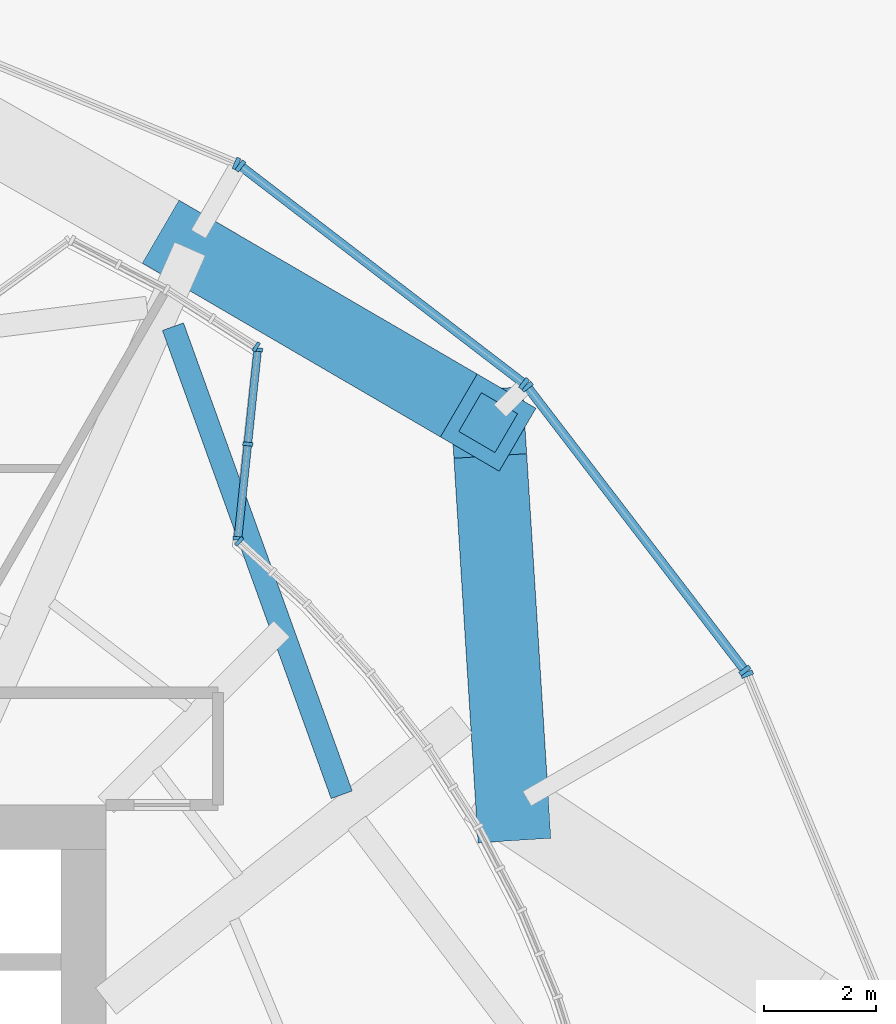
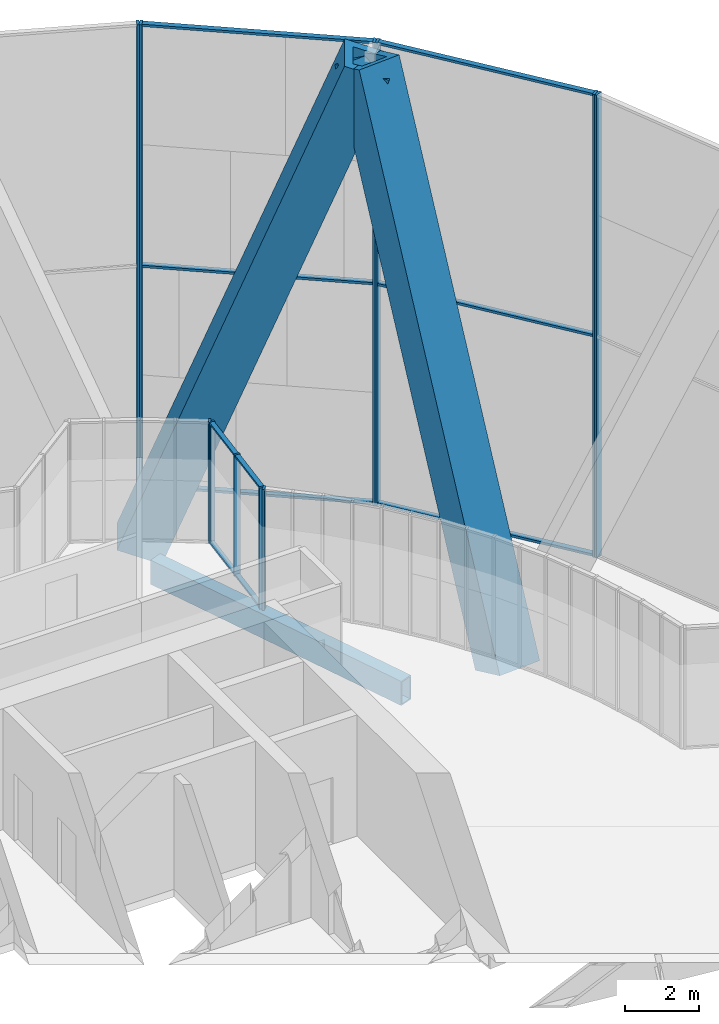
# One storey, part 10 of 27: 23 members, 1 beam, 7 elements without a shape of their own.
"""IFC4 building model written with IfcOpenShell, lengths in metres."""

from ifc_helpers import new_model, si_unit, direction, frame, origin, origin_2d, place, context, subcontext, project, spatial, rectangle, hollow_rectangle, extrude, material, material_profile, profile_set, type_object, element, aggregate, save


model = new_model("IFC4")

# Units and contexts
model_context = context("Model", 3, precision=1e-05, world=origin(), true_north=direction((0.0, 1.0)))
body_context = subcontext(model_context, "Body", "Model", "MODEL_VIEW")
ifc_project = project(units=[si_unit("LENGTHUNIT", "METRE"), si_unit("AREAUNIT", "SQUARE_METRE"), si_unit("VOLUMEUNIT", "CUBIC_METRE"), si_unit("PLANEANGLEUNIT", "RADIAN"), si_unit("MASSUNIT", "GRAM", prefix="KILO")], contexts=[model_context])

# Site, building, storey
site_placement = place(None, origin())
site = spatial("IfcSite", under=ifc_project, at=site_placement, CompositionType="ELEMENT")
building_placement = place(site_placement, origin())
building = spatial("IfcBuilding", under=site, at=building_placement, Name="Golbaran Civic Tower", CompositionType="ELEMENT")
storey_placement = place(building_placement, frame((0.0, 0.0, 21.0)))
storey = spatial("IfcBuildingStorey", under=building, at=storey_placement, Name="L04", CompositionType="ELEMENT", Elevation=21.0)

# Members
ifc_material_1 = material(Name="Steel S355", Category="steel")
ifc_material_profile_1 = material_profile(ifc_material_1, hollow_rectangle(XDim=1.300048828125, YDim=1.300048828125, WallThickness=0.25, at=origin_2d()), Name="BOX 1300x1300x250")
ifc_profile_set_1 = profile_set([ifc_material_profile_1], Name="Steel S355")
member_type_1 = type_object("IfcMemberType", Name="DIAGRID DIAGONAL BOX 1300x1300x250", PredefinedType="BRACE", material=ifc_profile_set_1)
member_1_placement = place(storey_placement, frame((17.25, 9.959228515625, -0.7099609375), z_axis=(-0.024773388533, 0.393906691689, 0.918816520021), x_axis=(-0.998028176188, -0.06276750382, 0.0)))
element("IfcMember", 1, at=member_1_placement, inside=storey, type_object=member_type_1, Name="Diagonal D00-01R L04-L08", PredefinedType="BRACE", context=body_context, shape_type="SweptSolid", body=[
    extrude(hollow_rectangle(XDim=1.300048828125, YDim=1.300048828125, WallThickness=0.25, at=origin_2d()), origin(), (0.0, 0.0, 1.0), 17.413818359375),
])
member_2_placement = place(storey_placement, frame((11.5, 19.918701171875, -0.7099609375), z_axis=(0.310240999573, -0.180832692797, 0.933300626486), x_axis=(0.503577568182, 0.86395001755, 0.0)))
element("IfcMember", 2, at=member_2_placement, inside=storey, type_object=member_type_1, Name="Diagonal D00-02L L04-L08", PredefinedType="BRACE", context=body_context, shape_type="SweptSolid", body=[
    extrude(hollow_rectangle(XDim=1.300048828125, YDim=1.300048828125, WallThickness=0.25, at=origin_2d()), origin(), (0.0, 0.0, 1.0), 17.1435546875),
])

# Beam
ifc_material_profile_2 = material_profile(ifc_material_1, hollow_rectangle(XDim=0.39990234375, YDim=0.800048828125, WallThickness=0.0400390625, at=origin_2d()), Name="BOX 800x400x40")
ifc_profile_set_2 = profile_set([ifc_material_profile_2], Name="Steel S355")
beam_type = type_object("IfcBeamType", Name="EDGE BEAM BOX 800x400x40", PredefinedType="BEAM", material=ifc_profile_set_2)
beam_placement = place(storey_placement, frame((14.205078125, 10.18017578125, -0.60009765625), z_axis=(-0.339060370544, 0.94076461728, 0.0), x_axis=(-0.94076461728, -0.339060370544, 0.0)))
element("IfcBeam", 3, at=beam_placement, inside=storey, type_object=beam_type, Name="Edge beam 30.00 L04", PredefinedType="BEAM", context=body_context, shape_type="SweptSolid", body=[
    extrude(hollow_rectangle(XDim=0.39990234375, YDim=0.800048828125, WallThickness=0.0400390625, at=origin_2d()), origin(), (0.0, 0.0, 1.0), 8.875244140625),
])

# Curtain wall, member
ifc_material_2 = material(Name="Aluminium and glass", Category="aluminium")
curtain_wall_type_1 = type_object("IfcCurtainWallType", Name="INNER SKIN CURTAIN WALL", PredefinedType="NOTDEFINED", material=ifc_material_2)
curtain_wall_1_placement = place(storey_placement, origin())
curtain_wall_1 = element("IfcCurtainWall", 4, at=curtain_wall_1_placement, inside=storey, type_object=curtain_wall_type_1, Name="Inner skin L04 facet 10 CW1", ObjectType="INNER SKIN", PredefinedType="USERDEFINED")
ifc_material_3 = material(Name="Aluminium", Category="aluminium")
ifc_material_profile_3 = material_profile(ifc_material_3, rectangle(XDim=0.179931640625, YDim=0.06494140625, at=origin_2d()), Name="INNER SKIN CURTAIN WALL MULLION")
ifc_profile_set_3 = profile_set([ifc_material_profile_3], Name="Aluminium")
member_type_2 = type_object("IfcMemberType", Name="INNER SKIN CURTAIN WALL MULLION", PredefinedType="MULLION", material=ifc_profile_set_3)
member_3_placement = place(storey_placement, frame((12.375244140625, 14.697509765625, 0.0), z_axis=(0.0, 0.0, 1.0), x_axis=(-0.67559020804, -0.737277336421, 0.0)))
member_3 = element("IfcMember", 5, at=member_3_placement, type_object=member_type_2, Name="CW1 mullion 3", PredefinedType="MULLION", context=body_context, shape_type="SweptSolid", body=[
    extrude(rectangle(XDim=0.179931640625, YDim=0.06494140625, at=origin_2d()), origin(), (0.0, 0.0, 1.0), 4.0),
])
aggregate(curtain_wall_1, [member_3])

# Curtain wall, members
curtain_wall_2_placement = place(storey_placement, origin())
curtain_wall_2 = element("IfcCurtainWall", 6, at=curtain_wall_2_placement, inside=storey, type_object=curtain_wall_type_1, Name="Inner skin L04 facet 11 CW1", ObjectType="INNER SKIN", PredefinedType="USERDEFINED")
member_4_placement = place(storey_placement, frame((12.3544921875, 14.751953125, 0.0), z_axis=(0.0, 0.0, 1.0), x_axis=(-0.994567542635, 0.104093242509, 0.0)))
member_4 = element("IfcMember", 7, at=member_4_placement, type_object=member_type_2, Name="CW1 mullion 1", PredefinedType="MULLION", context=body_context, shape_type="SweptSolid", body=[
    extrude(rectangle(XDim=0.179931640625, YDim=0.06494140625, at=origin_2d()), origin(), (0.0, 0.0, 1.0), 4.0),
])
member_5_placement = place(storey_placement, frame((12.53076171875, 16.43603515625, 0.0), z_axis=(0.0, 0.0, 1.0), x_axis=(-0.994567542635, 0.104093242509, 0.0)))
member_5 = element("IfcMember", 8, at=member_5_placement, type_object=member_type_2, Name="CW1 mullion 2", PredefinedType="MULLION", context=body_context, shape_type="SweptSolid", body=[
    extrude(rectangle(XDim=0.179931640625, YDim=0.06494140625, at=origin_2d()), origin(), (0.0, 0.0, 1.0), 4.0),
])
member_6_placement = place(storey_placement, frame((12.70703125, 18.1201171875, 0.0), z_axis=(0.0, 0.0, 1.0), x_axis=(-0.994567542635, 0.104093242509, 0.0)))
member_6 = element("IfcMember", 9, at=member_6_placement, type_object=member_type_2, Name="CW1 mullion 3", PredefinedType="MULLION", context=body_context, shape_type="SweptSolid", body=[
    extrude(rectangle(XDim=0.179931640625, YDim=0.06494140625, at=origin_2d()), origin(), (0.0, 0.0, 1.0), 4.0),
])

# Curtain wall, member
curtain_wall_3_placement = place(storey_placement, origin())
curtain_wall_3 = element("IfcCurtainWall", 10, at=curtain_wall_3_placement, inside=storey, type_object=curtain_wall_type_1, Name="Inner skin L04 facet 12 CW1", ObjectType="INNER SKIN", PredefinedType="USERDEFINED")
member_7_placement = place(storey_placement, frame((12.68310546875, 18.169921875, 0.0), z_axis=(0.0, 0.0, 1.0), x_axis=(-0.53729960845, -0.843391445747, 0.0)))
member_7 = element("IfcMember", 11, at=member_7_placement, type_object=member_type_2, Name="CW1 mullion 1", PredefinedType="MULLION", context=body_context, shape_type="SweptSolid", body=[
    extrude(rectangle(XDim=0.179931640625, YDim=0.06494140625, at=origin_2d()), origin(), (0.0, 0.0, 1.0), 4.0),
])
aggregate(curtain_wall_3, [member_7])

# Member
ifc_material_profile_4 = material_profile(ifc_material_3, rectangle(XDim=0.139892578125, YDim=0.06494140625, at=origin_2d()), Name="INNER SKIN CURTAIN WALL TRANSOM")
ifc_profile_set_4 = profile_set([ifc_material_profile_4], Name="Aluminium")
member_type_3 = type_object("IfcMemberType", Name="INNER SKIN CURTAIN WALL TRANSOM", PredefinedType="USERDEFINED", material=ifc_profile_set_4)
member_8_placement = place(storey_placement, frame((12.35791015625, 14.7841796875, 0.032470703125), z_axis=(0.104060344305, 0.994570985271, 0.0), x_axis=(-0.994570985271, 0.104060344305, 0.0)))
member_8 = element("IfcMember", 12, at=member_8_placement, type_object=member_type_3, Name="CW1 transom 1.1", ObjectType="TRANSOM", PredefinedType="USERDEFINED", context=body_context, shape_type="SweptSolid", body=[
    extrude(rectangle(XDim=0.139892578125, YDim=0.06494140625, at=origin_2d()), origin(), (0.0, 0.0, 1.0), 1.628173828125),
])

member_9_placement = place(storey_placement, frame((12.35791015625, 14.7841796875, 3.967529296875), z_axis=(0.104060344305, 0.994570985271, 0.0), x_axis=(-0.994570985271, 0.104060344305, 0.0)))
member_9 = element("IfcMember", 13, at=member_9_placement, type_object=member_type_3, Name="CW1 transom 1.2", ObjectType="TRANSOM", PredefinedType="USERDEFINED", context=body_context, shape_type="SweptSolid", body=[
    extrude(rectangle(XDim=0.139892578125, YDim=0.06494140625, at=origin_2d()), origin(), (0.0, 0.0, 1.0), 1.628173828125),
])

member_10_placement = place(storey_placement, frame((12.5341796875, 16.46826171875, 0.032470703125), z_axis=(0.104060344305, 0.994570985271, 0.0), x_axis=(-0.994570985271, 0.104060344305, 0.0)))
member_10 = element("IfcMember", 14, at=member_10_placement, type_object=member_type_3, Name="CW1 transom 2.1", ObjectType="TRANSOM", PredefinedType="USERDEFINED", context=body_context, shape_type="SweptSolid", body=[
    extrude(rectangle(XDim=0.139892578125, YDim=0.06494140625, at=origin_2d()), origin(), (0.0, 0.0, 1.0), 1.628173828125),
])

member_11_placement = place(storey_placement, frame((12.5341796875, 16.46826171875, 3.967529296875), z_axis=(0.104060344305, 0.994570985271, 0.0), x_axis=(-0.994570985271, 0.104060344305, 0.0)))
member_11 = element("IfcMember", 15, at=member_11_placement, type_object=member_type_3, Name="CW1 transom 2.2", ObjectType="TRANSOM", PredefinedType="USERDEFINED", context=body_context, shape_type="SweptSolid", body=[
    extrude(rectangle(XDim=0.139892578125, YDim=0.06494140625, at=origin_2d()), origin(), (0.0, 0.0, 1.0), 1.628173828125),
])

aggregate(curtain_wall_2, [member_4, member_5, member_6, member_8, member_9, member_10, member_11])

# Curtain wall, member
curtain_wall_type_2 = type_object("IfcCurtainWallType", Name="OUTER SKIN TERRACOTTA SCREEN", PredefinedType="NOTDEFINED", material=ifc_material_2)
curtain_wall_4_placement = place(storey_placement, origin())
curtain_wall_4 = element("IfcCurtainWall", 16, at=curtain_wall_4_placement, inside=storey, type_object=curtain_wall_type_2, Name="Outer skin L04 facet 2 CW3", ObjectType="OUTER SKIN", PredefinedType="USERDEFINED")
ifc_material_profile_5 = material_profile(ifc_material_3, rectangle(XDim=0.219970703125, YDim=0.080078125, at=origin_2d()), Name="OUTER SKIN TERRACOTTA SCREEN MULLION")
ifc_profile_set_5 = profile_set([ifc_material_profile_5], Name="Aluminium")
member_type_4 = type_object("IfcMemberType", Name="OUTER SKIN TERRACOTTA SCREEN MULLION", PredefinedType="MULLION", material=ifc_profile_set_5)
member_12_placement = place(storey_placement, frame((21.4365234375, 12.33056640625, 0.0), z_axis=(0.0, 0.0, 1.0), x_axis=(-0.923879532538, -0.382683432301, 0.0)))
member_12 = element("IfcMember", 17, at=member_12_placement, type_object=member_type_4, Name="CW3 mullion 2", PredefinedType="MULLION", context=body_context, shape_type="SweptSolid", body=[
    extrude(rectangle(XDim=0.219970703125, YDim=0.080078125, at=origin_2d()), origin(), (0.0, 0.0, 1.0), 15.2900390625),
])
aggregate(curtain_wall_4, [member_12])

# Curtain wall, members
curtain_wall_5_placement = place(storey_placement, origin())
curtain_wall_5 = element("IfcCurtainWall", 18, at=curtain_wall_5_placement, inside=storey, type_object=curtain_wall_type_2, Name="Outer skin L04 facet 3 CW3", ObjectType="OUTER SKIN", PredefinedType="USERDEFINED")
member_13_placement = place(storey_placement, frame((21.396728515625, 12.399169921875, 0.0), z_axis=(0.0, 0.0, 1.0), x_axis=(-0.793353340312, -0.608761428981, 0.0)))
member_13 = element("IfcMember", 19, at=member_13_placement, type_object=member_type_4, Name="CW3 mullion 1", PredefinedType="MULLION", context=body_context, shape_type="SweptSolid", body=[
    extrude(rectangle(XDim=0.219970703125, YDim=0.080078125, at=origin_2d()), origin(), (0.0, 0.0, 1.0), 15.2900390625),
])
member_14_placement = place(storey_placement, frame((17.5146484375, 17.45849609375, 0.0), z_axis=(0.0, 0.0, 1.0), x_axis=(-0.793353340312, -0.608761428981, 0.0)))
member_14 = element("IfcMember", 20, at=member_14_placement, type_object=member_type_4, Name="CW3 mullion 2", PredefinedType="MULLION", context=body_context, shape_type="SweptSolid", body=[
    extrude(rectangle(XDim=0.219970703125, YDim=0.080078125, at=origin_2d()), origin(), (0.0, 0.0, 1.0), 15.2900390625),
])

curtain_wall_6_placement = place(storey_placement, origin())
curtain_wall_6 = element("IfcCurtainWall", 21, at=curtain_wall_6_placement, inside=storey, type_object=curtain_wall_type_2, Name="Outer skin L04 facet 4 CW3", ObjectType="OUTER SKIN", PredefinedType="USERDEFINED")
member_15_placement = place(storey_placement, frame((17.45849609375, 17.5146484375, 0.0), z_axis=(0.0, 0.0, 1.0), x_axis=(-0.608761428981, -0.793353340312, 0.0)))
member_15 = element("IfcMember", 22, at=member_15_placement, type_object=member_type_4, Name="CW3 mullion 1", PredefinedType="MULLION", context=body_context, shape_type="SweptSolid", body=[
    extrude(rectangle(XDim=0.219970703125, YDim=0.080078125, at=origin_2d()), origin(), (0.0, 0.0, 1.0), 15.2900390625),
])
member_16_placement = place(storey_placement, frame((12.399169921875, 21.396728515625, 0.0), z_axis=(0.0, 0.0, 1.0), x_axis=(-0.608761428981, -0.793353340312, 0.0)))
member_16 = element("IfcMember", 23, at=member_16_placement, type_object=member_type_4, Name="CW3 mullion 2", PredefinedType="MULLION", context=body_context, shape_type="SweptSolid", body=[
    extrude(rectangle(XDim=0.219970703125, YDim=0.080078125, at=origin_2d()), origin(), (0.0, 0.0, 1.0), 15.2900390625),
])

# Curtain wall, member
curtain_wall_7_placement = place(storey_placement, origin())
curtain_wall_7 = element("IfcCurtainWall", 24, at=curtain_wall_7_placement, inside=storey, type_object=curtain_wall_type_2, Name="Outer skin L04 facet 5 CW3", ObjectType="OUTER SKIN", PredefinedType="USERDEFINED")
member_17_placement = place(storey_placement, frame((12.33056640625, 21.4365234375, 0.0), z_axis=(0.0, 0.0, 1.0), x_axis=(-0.382683432301, -0.923879532538, 0.0)))
member_17 = element("IfcMember", 25, at=member_17_placement, type_object=member_type_4, Name="CW3 mullion 1", PredefinedType="MULLION", context=body_context, shape_type="SweptSolid", body=[
    extrude(rectangle(XDim=0.219970703125, YDim=0.080078125, at=origin_2d()), origin(), (0.0, 0.0, 1.0), 15.2900390625),
])
aggregate(curtain_wall_7, [member_17])

# Member
ifc_material_profile_6 = material_profile(ifc_material_3, rectangle(XDim=0.159912109375, YDim=0.080078125, at=origin_2d()), Name="OUTER SKIN TERRACOTTA SCREEN TRANSOM")
ifc_profile_set_6 = profile_set([ifc_material_profile_6], Name="Aluminium")
member_type_5 = type_object("IfcMemberType", Name="OUTER SKIN TERRACOTTA SCREEN TRANSOM", PredefinedType="USERDEFINED", material=ifc_profile_set_6)
member_18_placement = place(storey_placement, frame((21.37255859375, 12.430908203125, 0.0400390625), z_axis=(-0.608766012827, 0.793349822983, 0.0), x_axis=(-0.793349822983, -0.608766012827, 0.0)))
member_18 = element("IfcMember", 26, at=member_18_placement, type_object=member_type_5, Name="CW3 transom 1.1", ObjectType="TRANSOM", PredefinedType="USERDEFINED", context=body_context, shape_type="SweptSolid", body=[
    extrude(rectangle(XDim=0.159912109375, YDim=0.080078125, at=origin_2d()), origin(), (0.0, 0.0, 1.0), 6.297119140625),
])

member_19_placement = place(storey_placement, frame((21.37255859375, 12.430908203125, 7.2900390625), z_axis=(-0.608766012827, 0.793349822983, 0.0), x_axis=(-0.793349822983, -0.608766012827, 0.0)))
member_19 = element("IfcMember", 27, at=member_19_placement, type_object=member_type_5, Name="CW3 transom 1.2", ObjectType="TRANSOM", PredefinedType="USERDEFINED", context=body_context, shape_type="SweptSolid", body=[
    extrude(rectangle(XDim=0.159912109375, YDim=0.080078125, at=origin_2d()), origin(), (0.0, 0.0, 1.0), 6.297119140625),
])

member_20_placement = place(storey_placement, frame((21.37255859375, 12.430908203125, 15.25), z_axis=(-0.608766012827, 0.793349822983, 0.0), x_axis=(-0.793349822983, -0.608766012827, 0.0)))
member_20 = element("IfcMember", 28, at=member_20_placement, type_object=member_type_5, Name="CW3 transom 1.3", ObjectType="TRANSOM", PredefinedType="USERDEFINED", context=body_context, shape_type="SweptSolid", body=[
    extrude(rectangle(XDim=0.159912109375, YDim=0.080078125, at=origin_2d()), origin(), (0.0, 0.0, 1.0), 6.297119140625),
])

aggregate(curtain_wall_5, [member_13, member_14, member_18, member_19, member_20])

member_21_placement = place(storey_placement, frame((17.4267578125, 17.5390625, 0.0400390625), z_axis=(-0.793349822983, 0.608766012827, 0.0), x_axis=(-0.608766012827, -0.793349822983, 0.0)))
member_21 = element("IfcMember", 29, at=member_21_placement, type_object=member_type_5, Name="CW3 transom 1.1", ObjectType="TRANSOM", PredefinedType="USERDEFINED", context=body_context, shape_type="SweptSolid", body=[
    extrude(rectangle(XDim=0.159912109375, YDim=0.080078125, at=origin_2d()), origin(), (0.0, 0.0, 1.0), 6.297119140625),
])

member_22_placement = place(storey_placement, frame((17.4267578125, 17.5390625, 7.2900390625), z_axis=(-0.793349822983, 0.608766012827, 0.0), x_axis=(-0.608766012827, -0.793349822983, 0.0)))
member_22 = element("IfcMember", 30, at=member_22_placement, type_object=member_type_5, Name="CW3 transom 1.2", ObjectType="TRANSOM", PredefinedType="USERDEFINED", context=body_context, shape_type="SweptSolid", body=[
    extrude(rectangle(XDim=0.159912109375, YDim=0.080078125, at=origin_2d()), origin(), (0.0, 0.0, 1.0), 6.297119140625),
])

member_23_placement = place(storey_placement, frame((17.4267578125, 17.5390625, 15.25), z_axis=(-0.793349822983, 0.608766012827, 0.0), x_axis=(-0.608766012827, -0.793349822983, 0.0)))
member_23 = element("IfcMember", 31, at=member_23_placement, type_object=member_type_5, Name="CW3 transom 1.3", ObjectType="TRANSOM", PredefinedType="USERDEFINED", context=body_context, shape_type="SweptSolid", body=[
    extrude(rectangle(XDim=0.159912109375, YDim=0.080078125, at=origin_2d()), origin(), (0.0, 0.0, 1.0), 6.297119140625),
])

aggregate(curtain_wall_6, [member_15, member_16, member_21, member_22, member_23])

save(model, "model.ifc")
